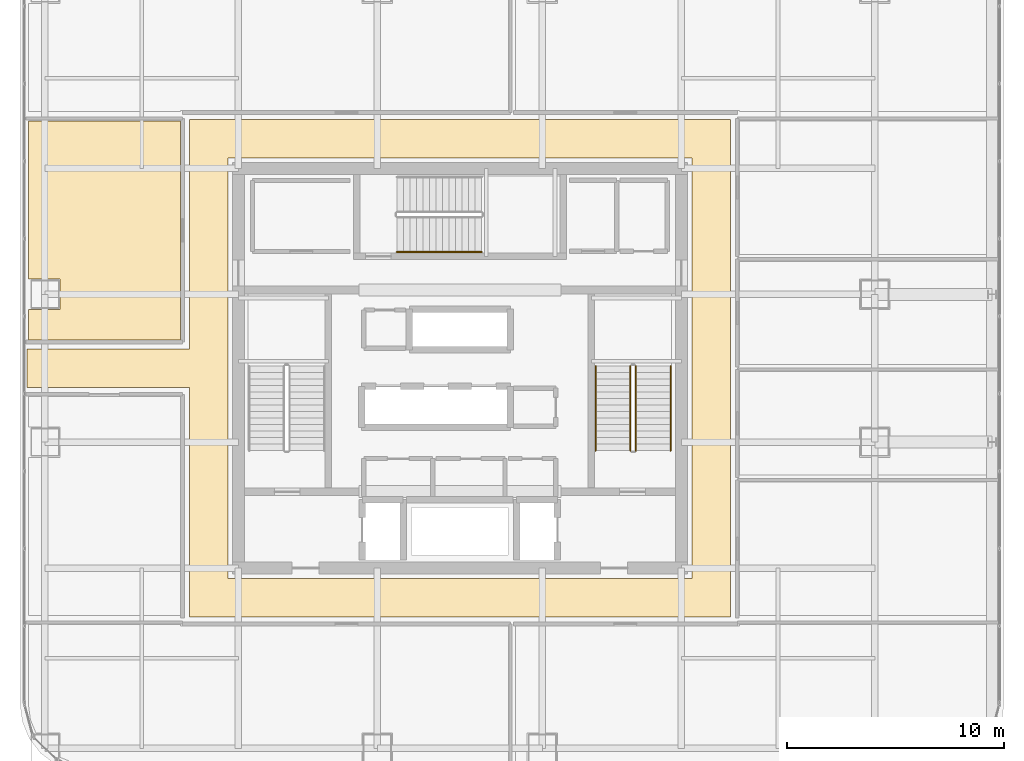
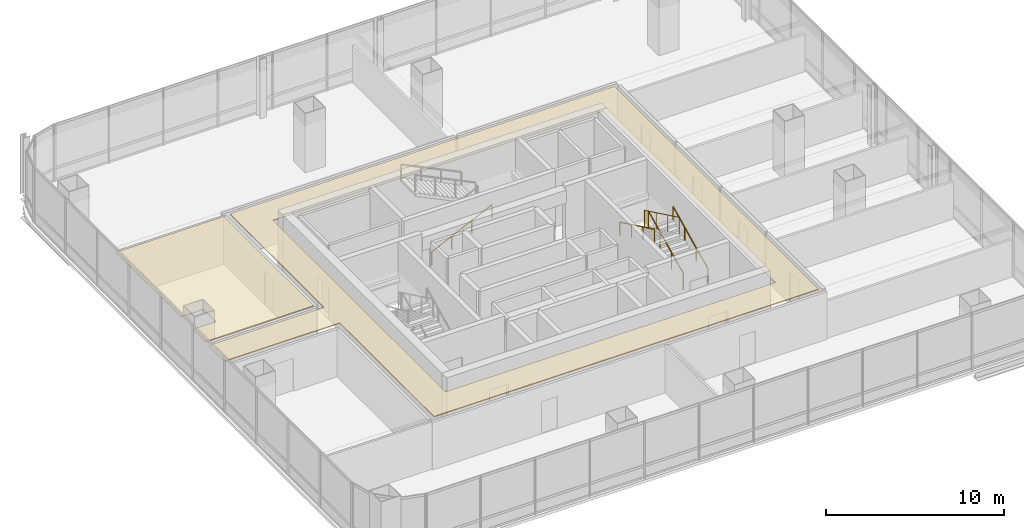
# One storey, part 37 of 39: 5 railings, 2 coverings.
"""IFC4 building model written with IfcOpenShell, lengths in metres."""

from ifc_helpers import new_model, si_unit, direction, frame, origin, origin_2d, place, context, subcontext, project, spatial, polyline, circle, outline, extrude, material, layer, layer_set, type_object, element, save


model = new_model("IFC4")

# Units and contexts
model_context = context("Model", 3, precision=1e-05, world=origin(), true_north=direction((0.0, 1.0)))
body_context = subcontext(model_context, "Body", "Model", "MODEL_VIEW")
ifc_project = project(units=[si_unit("LENGTHUNIT", "METRE"), si_unit("AREAUNIT", "SQUARE_METRE"), si_unit("VOLUMEUNIT", "CUBIC_METRE"), si_unit("PLANEANGLEUNIT", "RADIAN"), si_unit("MASSUNIT", "GRAM", prefix="KILO")], contexts=[model_context])

# Site, building, storey
site_placement = place(None, origin())
site = spatial("IfcSite", under=ifc_project, at=site_placement, CompositionType="ELEMENT")
building_placement = place(site_placement, origin())
building = spatial("IfcBuilding", under=site, at=building_placement, Name="Punatoya Terracotta Tower", CompositionType="ELEMENT")
storey_placement = place(building_placement, frame((0.0, 0.0, 275.699951171875)))
storey = spatial("IfcBuildingStorey", under=building, at=storey_placement, Name="L65", CompositionType="ELEMENT", Elevation=275.699951171875)

# Coverings
ifc_material_1 = material(Name="Acoustic Mineral Fibre Ceiling")
ifc_layer = layer(ifc_material_1, 0.06005859375)
ifc_layer_set = layer_set([ifc_layer], Name="Acoustic Mineral Fibre Ceiling")
covering_type = type_object("IfcCoveringType", Name="COV-CEIL-60", PredefinedType="CEILING", material=ifc_layer_set)
covering_1_placement = place(storey_placement, frame((0.0, 0.0, 3.239990234375)))
element("IfcCovering", 1, at=covering_1_placement, inside=storey, type_object=covering_type, Name="L65 Loop Circulation Corridor Acoustic Ceiling", PredefinedType="CEILING", context=body_context, shape_type="SweptSolid", body=[
    extrude(outline(polyline([(-12.449951171875, -11.449951171875), (12.449951171875, -11.449951171875), (12.449951171875, 11.449951171875), (-12.449951171875, 11.449951171875), (-12.449951171875, 0.8798828125), (-19.929931640625, 0.8798828125), (-19.929931640625, -0.8798828125), (-12.449951171875, -0.8798828125), (-12.449951171875, -11.449951171875)]), holes=[polyline([(-10.679931640625, -9.679931640625), (-10.679931640625, 9.679931640625), (10.679931640625, 9.679931640625), (10.679931640625, -9.679931640625), (-10.679931640625, -9.679931640625)])]), origin(), (0.0, 0.0, 1.0), 0.06005859375),
])
covering_2_placement = place(storey_placement, frame((0.0, 0.0, 3.239990234375)))
element("IfcCovering", 2, at=covering_2_placement, inside=storey, type_object=covering_type, Name="L65 Open-Plan Wellness Quiet Room Acoustic Ceiling", PredefinedType="CEILING", context=body_context, shape_type="SweptSolid", body=[
    extrude(outline(polyline([(-19.8701171875, 1.300048828125), (-12.8701171875, 1.300048828125), (-12.8701171875, 11.389892578125), (-19.8701171875, 11.389892578125), (-19.8701171875, 4.10009765625), (-18.39990234375, 4.10009765625), (-18.39990234375, 2.699951171875), (-19.8701171875, 2.699951171875), (-19.8701171875, 1.300048828125)])), origin(), (0.0, 0.0, 1.0), 0.06005859375),
])

# Railings
ifc_material_2 = material(Name="Steel S355", Category="steel")
railing_type_1 = type_object("IfcRailingType", Name="RLG-GRD-1150", PredefinedType="GUARDRAIL", material=ifc_material_2)
railing_1_placement = place(storey_placement, frame((8.10009765625, -3.800048828125, 0.144775390625)))
element("IfcRailing", 3, at=railing_1_placement, inside=storey, type_object=railing_type_1, Name="L65 ST-2 stair guard 1", PredefinedType="GUARDRAIL", context=body_context, shape_type="SweptSolid", body=[
    extrude(circle(Radius=0.02392578125, at=origin_2d()), frame((0.0, 0.0, 1.1259765625), z_axis=(0.0, 0.900773802044, 0.434288564841), x_axis=(-1.0, 0.0, 0.0)), (0.0, 0.0, 1.0), 4.329833984375),
    extrude(circle(Radius=0.02099609375, at=origin_2d()), origin(), (0.0, 0.0, 1.0), 1.101806640625),
    extrude(circle(Radius=0.02099609375, at=origin_2d()), frame((0.0, 1.300048828125, 0.626708984375)), (0.0, 0.0, 1.0), 1.101806640625),
    extrude(circle(Radius=0.02099609375, at=origin_2d()), frame((0.0, 2.60009765625, 1.253662109375)), (0.0, 0.0, 1.0), 1.101806640625),
    extrude(circle(Radius=0.02099609375, at=origin_2d()), frame((0.0, 3.900146484375, 1.88037109375)), (0.0, 0.0, 1.0), 1.101806640625),
])
railing_2_placement = place(storey_placement, frame((7.85009765625, 0.10009765625, 2.169677734375)))
element("IfcRailing", 4, at=railing_2_placement, inside=storey, type_object=railing_type_1, Name="L65 ST-2 stair guard 3", PredefinedType="GUARDRAIL", context=body_context, shape_type="SweptSolid", body=[
    extrude(circle(Radius=0.02392578125, at=origin_2d()), frame((0.0, 0.0, 1.1259765625), z_axis=(0.0, -0.900773802044, 0.434288564841), x_axis=(1.0, 0.0, 0.0)), (0.0, 0.0, 1.0), 4.329833984375),
    extrude(circle(Radius=0.02099609375, at=origin_2d()), origin(), (0.0, 0.0, 1.0), 1.101806640625),
    extrude(circle(Radius=0.02099609375, at=origin_2d()), frame((0.0, -1.300048828125, 0.626708984375)), (0.0, 0.0, 1.0), 1.101806640625),
    extrude(circle(Radius=0.02099609375, at=origin_2d()), frame((0.0, -2.60009765625, 1.253662109375)), (0.0, 0.0, 1.0), 1.101806640625),
    extrude(circle(Radius=0.02099609375, at=origin_2d()), frame((0.0, -3.900146484375, 1.88037109375)), (0.0, 0.0, 1.0), 1.101806640625),
])
railing_type_2 = type_object("IfcRailingType", Name="RLG-HND-900", PredefinedType="HANDRAIL", material=ifc_material_2)
railing_3_placement = place(storey_placement, frame((9.699951171875, -3.800048828125, 0.144775390625)))
element("IfcRailing", 5, at=railing_3_placement, inside=storey, type_object=railing_type_2, Name="L65 ST-2 stair handrail 1", PredefinedType="HANDRAIL", context=body_context, shape_type="SweptSolid", body=[
    extrude(circle(Radius=0.02392578125, at=origin_2d()), frame((0.0, 0.0, 0.8759765625), z_axis=(0.0, 0.900773802044, 0.434288564841), x_axis=(-1.0, 0.0, 0.0)), (0.0, 0.0, 1.0), 4.329833984375),
    extrude(circle(Radius=0.02099609375, at=origin_2d()), origin(), (0.0, 0.0, 1.0), 0.851806640625),
    extrude(circle(Radius=0.02099609375, at=origin_2d()), frame((0.0, 1.300048828125, 0.626708984375)), (0.0, 0.0, 1.0), 0.851806640625),
    extrude(circle(Radius=0.02099609375, at=origin_2d()), frame((0.0, 2.60009765625, 1.253662109375)), (0.0, 0.0, 1.0), 0.851806640625),
    extrude(circle(Radius=0.02099609375, at=origin_2d()), frame((0.0, 3.900146484375, 1.88037109375)), (0.0, 0.0, 1.0), 0.851806640625),
])
railing_4_placement = place(storey_placement, frame((6.25, 0.10009765625, 2.169677734375)))
element("IfcRailing", 6, at=railing_4_placement, inside=storey, type_object=railing_type_2, Name="L65 ST-2 stair handrail 2", PredefinedType="HANDRAIL", context=body_context, shape_type="SweptSolid", body=[
    extrude(circle(Radius=0.02392578125, at=origin_2d()), frame((0.0, 0.0, 0.8759765625), z_axis=(0.0, -0.900773802044, 0.434288564841), x_axis=(1.0, 0.0, 0.0)), (0.0, 0.0, 1.0), 4.329833984375),
    extrude(circle(Radius=0.02099609375, at=origin_2d()), origin(), (0.0, 0.0, 1.0), 0.851806640625),
    extrude(circle(Radius=0.02099609375, at=origin_2d()), frame((0.0, -1.300048828125, 0.626708984375)), (0.0, 0.0, 1.0), 0.851806640625),
    extrude(circle(Radius=0.02099609375, at=origin_2d()), frame((0.0, -2.60009765625, 1.253662109375)), (0.0, 0.0, 1.0), 0.851806640625),
    extrude(circle(Radius=0.02099609375, at=origin_2d()), frame((0.0, -3.900146484375, 1.88037109375)), (0.0, 0.0, 1.0), 0.851806640625),
])
railing_5_placement = place(storey_placement, frame((-2.89990234375, 5.35009765625, 0.144775390625)))
element("IfcRailing", 7, at=railing_5_placement, inside=storey, type_object=railing_type_2, Name="L65 ST-3 stair handrail 1", PredefinedType="HANDRAIL", context=body_context, shape_type="SweptSolid", body=[
    extrude(circle(Radius=0.02392578125, at=origin_2d()), frame((0.0, 0.0, 0.8759765625), z_axis=(0.900763166376, 0.0, 0.434310623978), x_axis=(0.0, 1.0, 0.0)), (0.0, 0.0, 1.0), 4.32958984375),
    extrude(circle(Radius=0.02099609375, at=origin_2d()), origin(), (0.0, 0.0, 1.0), 0.851806640625),
    extrude(circle(Radius=0.02099609375, at=origin_2d()), frame((1.300048828125, 0.0, 0.626708984375)), (0.0, 0.0, 1.0), 0.851806640625),
    extrude(circle(Radius=0.02099609375, at=origin_2d()), frame((2.599853515625, 0.0, 1.253662109375)), (0.0, 0.0, 1.0), 0.851806640625),
    extrude(circle(Radius=0.02099609375, at=origin_2d()), frame((3.89990234375, 0.0, 1.88037109375)), (0.0, 0.0, 1.0), 0.851806640625),
])

save(model, "model.ifc")
